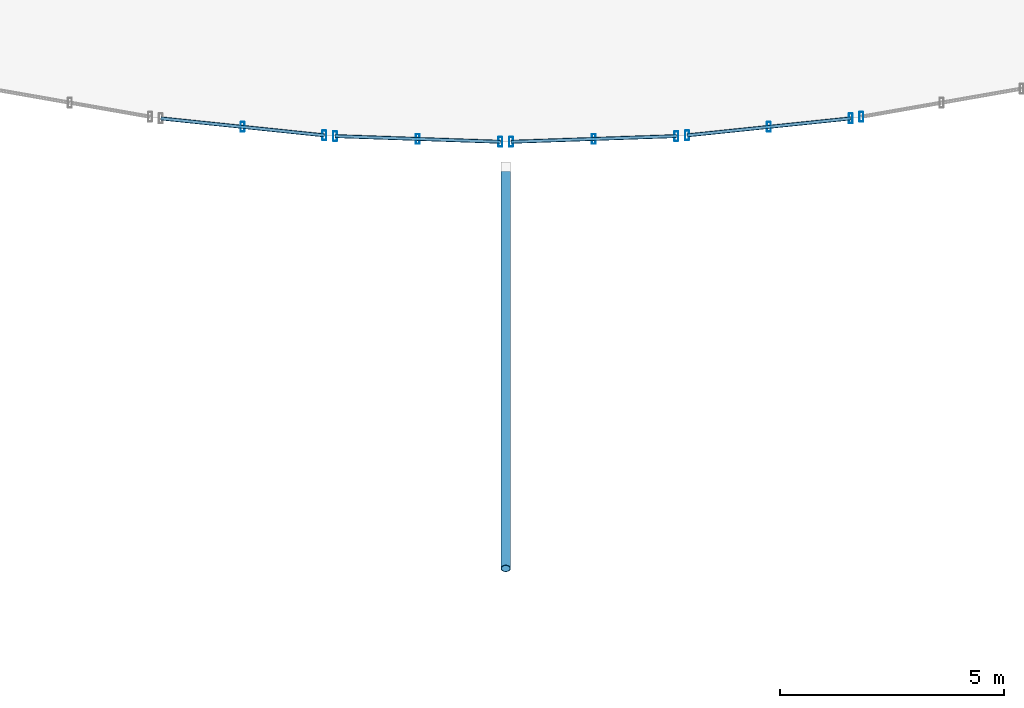
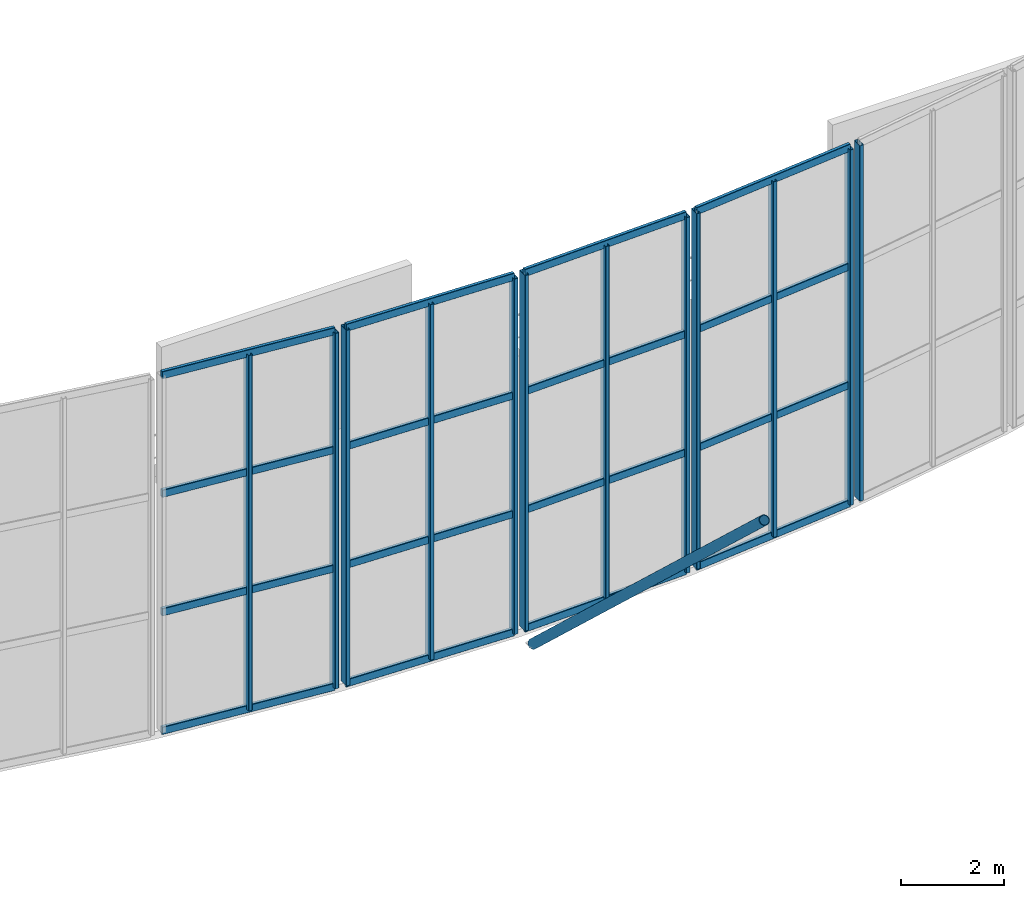
# One storey, part 22 of 109: 29 members, 5 elements without a shape of their own.
"""IFC4 building model written with IfcOpenShell, lengths in metres."""

import ifcopenshell
import ifcopenshell.guid

model = None  # the IFC model being written
_history = None  # IfcOwnerHistory: only IFC2X3 demands one
_inside = {}  # id of a spatial element -> (the spatial element, [elements in it])
_under = {}  # id of a project, library or spatial element -> (it, [spatial elements below it])
_declared = {}  # id of a project -> (the project, [libraries it declares])
_typed = {}  # id of a type object -> (the type object, [elements of that type])
_made_of = {}  # id of a material, layer set ... -> (it, [elements and type objects made of it])


def new_model(schema):
    """Start an empty IFC model of exactly this schema.

    Asked for "IFC4X3", IfcOpenShell would pick the latest addendum, in which some entities
    have other attributes; the version numbers below select the first issue.
    IFC2X3 requires an IfcOwnerHistory on every rooted entity: one is made here for all.
    """
    global model, _history
    if schema == "IFC4X3":
        model = ifcopenshell.file(schema_version=(4, 3, 0, 0))
    else:
        model = ifcopenshell.file(schema=schema)
    _inside.clear()
    _under.clear()
    _declared.clear()
    _typed.clear()
    _made_of.clear()
    _history = None
    if model.schema == "IFC2X3":
        org = make("IfcOrganization", Name="unknown")
        user = make(
            "IfcPersonAndOrganization",
            ThePerson=make("IfcPerson", FamilyName="unknown"),
            TheOrganization=org,
        )
        app = make(
            "IfcApplication",
            ApplicationDeveloper=org,
            Version="unknown",
            ApplicationFullName="unknown",
            ApplicationIdentifier="unknown",
        )
        _history = make(
            "IfcOwnerHistory",
            OwningUser=user,
            OwningApplication=app,
            ChangeAction="ADDED",
            CreationDate=0,
        )
    return model


def make(cls, **values):
    """One entity of the class cls with the attributes given. An attribute that is None is left unset."""
    return model.create_entity(
        cls, **{name: value for name, value in values.items() if value is not None}
    )


def rooted(cls, **values):
    """An entity with a GlobalId (a new one), such as an element, a storey or a relation."""
    return make(cls, GlobalId=ifcopenshell.guid.new(), OwnerHistory=_history, **values)


def si_unit(unit_type, name, prefix=None):
    """IfcSIUnit, for example si_unit("LENGTHUNIT", "METRE", prefix="MILLI")."""
    return make("IfcSIUnit", UnitType=unit_type, Prefix=prefix, Name=name)


def derived_unit(unit_type, elements):
    """IfcDerivedUnit: a product of units, each with its exponent."""
    return make(
        "IfcDerivedUnit",
        Elements=[
            make("IfcDerivedUnitElement", Unit=unit, Exponent=power)
            for unit, power in elements
        ],
        UnitType=unit_type,
    )


def assignment(units):
    """IfcUnitAssignment: the units of a project."""
    return None if units is None else make("IfcUnitAssignment", Units=units)


def point(xyz):
    """IfcCartesianPoint."""
    return None if xyz is None else make("IfcCartesianPoint", Coordinates=xyz)


def direction(xyz):
    """IfcDirection."""
    return None if xyz is None else make("IfcDirection", DirectionRatios=xyz)


def frame(location, z_axis=None, x_axis=None):
    """IfcAxis2Placement3D, a coordinate frame: its origin and axes. An axis left out is left unset."""
    return make(
        "IfcAxis2Placement3D",
        Location=point(location),
        Axis=direction(z_axis),
        RefDirection=direction(x_axis),
    )


def frame_2d(location, x_axis=None):
    """IfcAxis2Placement2D, a coordinate frame in the plane: its origin and x axis."""
    return make(
        "IfcAxis2Placement2D", Location=point(location), RefDirection=direction(x_axis)
    )


def origin():
    """The frame at (0, 0, 0) with its axes left unset."""
    return frame((0.0, 0.0, 0.0))


def origin_2d():
    """The frame at (0, 0) in the plane with its x axis left unset."""
    return frame_2d((0.0, 0.0))


def place(relative_to, where):
    """IfcLocalPlacement: puts the frame where relative to a parent placement (None: the world)."""
    return make(
        "IfcLocalPlacement", PlacementRelTo=relative_to, RelativePlacement=where
    )


def context(
    kind, dimensions, precision=None, world=None, true_north=None, identifier=None
):
    """IfcGeometricRepresentationContext, for example the 3D "Model" context."""
    return make(
        "IfcGeometricRepresentationContext",
        ContextIdentifier=identifier,
        ContextType=kind,
        CoordinateSpaceDimension=dimensions,
        Precision=precision,
        WorldCoordinateSystem=world,
        TrueNorth=true_north,
    )


def subcontext(parent, identifier, kind, view, scale=None):
    """IfcGeometricRepresentationSubContext, for example "Body" below "Model"."""
    return make(
        "IfcGeometricRepresentationSubContext",
        ContextIdentifier=identifier,
        ContextType=kind,
        ParentContext=parent,
        TargetScale=scale,
        TargetView=view,
    )


def project(units=None, contexts=None):
    """IfcProject with its units and contexts."""
    return rooted(
        "IfcProject",
        Name="project",
        RepresentationContexts=contexts,
        UnitsInContext=assignment(units),
    )


def spatial(cls, under=None, at=None, **own):
    """A site, building, storey or space (cls), placed at a placement, below another one or the project."""
    s = rooted(cls, ObjectPlacement=at, **own)
    if under is not None:
        _under.setdefault(under.id(), (under, []))[1].append(s)
    return s


def profile(cls, at=None, kind="AREA", **sizes):
    """A parametric profile (cls). Its sizes go by their IFC names, for example OverallWidth=200.0."""
    return make(cls, ProfileType=kind, Position=at, **sizes)


def hollow_rectangle(**sizes):
    """IfcRectangleHollowProfileDef."""
    return profile("IfcRectangleHollowProfileDef", **sizes)


def hollow_circle(**sizes):
    """IfcCircleHollowProfileDef."""
    return profile("IfcCircleHollowProfileDef", **sizes)


def extrude(swept, where, along, depth):
    """IfcExtrudedAreaSolid: the profile swept, set in the frame where, extruded along a direction by depth."""
    return make(
        "IfcExtrudedAreaSolid",
        SweptArea=swept,
        Position=where,
        ExtrudedDirection=direction(along),
        Depth=depth,
    )


def shape(context_of_items, identifier, shape_type, items):
    """IfcShapeRepresentation: the items that make up one representation, for example the "Body"."""
    return make(
        "IfcShapeRepresentation",
        ContextOfItems=context_of_items,
        RepresentationIdentifier=identifier,
        RepresentationType=shape_type,
        Items=items,
    )


def material(Name=None, Category=None):
    """IfcMaterial."""
    return make("IfcMaterial", Name=Name, Category=Category)


def material_profile(
    of_material, cross_section, Name=None, Category=None, Priority=None
):
    """IfcMaterialProfile: a cross section and its material."""
    return make(
        "IfcMaterialProfile",
        Name=Name,
        Material=of_material,
        Profile=cross_section,
        Priority=Priority,
        Category=Category,
    )


def profile_set(profiles, Name=None, composite=None):
    """IfcMaterialProfileSet."""
    return make(
        "IfcMaterialProfileSet",
        Name=Name,
        MaterialProfiles=profiles,
        CompositeProfile=composite,
    )


def made_of(thing, what):
    """Note that an element or type object is made of a material, layer set ...; save() writes the relation."""
    if what is not None:
        _made_of.setdefault(what.id(), (what, []))[1].append(thing)
    return thing


def type_object(cls, material=None, **own):
    """A type object (cls), such as IfcWallType, which elements share."""
    return made_of(rooted(cls, **own), material)


def element(
    cls,
    number,
    at=None,
    inside=None,
    cuts=None,
    type_object=None,
    material=None,
    context=None,
    identifier="Body",
    shape_type=None,
    held_by="IfcProductDefinitionShape",
    body=None,
    shapes=None,
    **own,
):
    """One element of the class cls, such as IfcWall. Its Tag is "e" and its number.

    at: its placement. inside: the storey or other place that contains it. cuts: it is an
    opening in that element (IfcRelVoidsElement). A single representation is given by context,
    identifier, shape_type and body (its items); several are given by shapes. held_by: the class
    of the entity that holds the representations. save() writes the other relations.
    """
    e = rooted(cls, Tag="e%d" % number, ObjectPlacement=at, **own)
    if body is not None:
        shapes = [shape(context, identifier, shape_type, body)]
    if shapes is not None:
        e.Representation = make(held_by, Representations=shapes)
    if inside is not None:
        _inside.setdefault(inside.id(), (inside, []))[1].append(e)
    if cuts is not None:
        rooted(
            "IfcRelVoidsElement", RelatingBuildingElement=cuts, RelatedOpeningElement=e
        )
    if type_object is not None:
        _typed.setdefault(type_object.id(), (type_object, []))[1].append(e)
    return made_of(e, material)


def aggregate(whole, parts):
    """IfcRelAggregates: a whole, such as a stair, and the parts it consists of."""
    return rooted("IfcRelAggregates", RelatingObject=whole, RelatedObjects=parts)


def save(model, path):
    """Write the relations noted so far, then the file.

    IfcRelAggregates (storeys below a building ...), IfcRelContainedInSpatialStructure (elements
    in a storey), IfcRelDefinesByType, IfcRelAssociatesMaterial and IfcRelDeclares: one each for
    every whole, place, type object, material and project.
    """
    for whole, parts in _under.values():
        aggregate(whole, parts)
    for where, things in _inside.values():
        rooted(
            "IfcRelContainedInSpatialStructure",
            RelatedElements=things,
            RelatingStructure=where,
        )
    for kind, things in _typed.values():
        rooted("IfcRelDefinesByType", RelatedObjects=things, RelatingType=kind)
    for what, things in _made_of.values():
        rooted("IfcRelAssociatesMaterial", RelatedObjects=things, RelatingMaterial=what)
    for by, libraries in _declared.values():
        rooted("IfcRelDeclares", RelatingContext=by, RelatedDefinitions=libraries)
    model.write(path)


model = new_model("IFC4")

# Units and contexts
model_context = context("Model", 3, precision=1e-05, world=origin(), true_north=direction((0.0, 1.0)))
body_context = subcontext(model_context, "Body", "Model", "MODEL_VIEW")
ifc_project = project(units=[si_unit("LENGTHUNIT", "METRE"), si_unit("AREAUNIT", "SQUARE_METRE"), si_unit("VOLUMEUNIT", "CUBIC_METRE"), si_unit("PLANEANGLEUNIT", "RADIAN"), si_unit("MASSUNIT", "GRAM", prefix="KILO"), derived_unit("THERMALTRANSMITTANCEUNIT", [(si_unit("MASSUNIT", "GRAM", prefix="KILO"), 1), (si_unit("TIMEUNIT", "SECOND"), -3), (si_unit("THERMODYNAMICTEMPERATUREUNIT", "KELVIN"), -1)])], contexts=[model_context])

# Site, building, storey
site_placement = place(None, origin())
site = spatial("IfcSite", under=ifc_project, at=site_placement, CompositionType="ELEMENT")
building_placement = place(site_placement, origin())
building = spatial("IfcBuilding", under=site, at=building_placement, Name="Kharveza Railside Sports Centre", CompositionType="ELEMENT")
storey_placement = place(building_placement, frame((0.0, 0.0, 4.5)))
storey = spatial("IfcBuildingStorey", under=building, at=storey_placement, Name="L01", CompositionType="ELEMENT", Elevation=4.5)

# Curtain wall, members
ifc_material_1 = material(Name="Low-E solar-control laminated glass", Category="glass")
curtain_wall_type = type_object("IfcCurtainWallType", Name="CW-DR01", PredefinedType="NOTDEFINED", material=ifc_material_1)
curtain_wall_1_placement = place(storey_placement, origin())
curtain_wall_1 = element("IfcCurtainWall", 1, at=curtain_wall_1_placement, inside=storey, type_object=curtain_wall_type, Name="CW-DRUM-47", PredefinedType="NOTDEFINED")
ifc_material_2 = material(Name="Anodised aluminium 6063-T6", Category="aluminium")
ifc_material_profile_1 = material_profile(ifc_material_2, hollow_rectangle(XDim=0.090087890625, YDim=0.219970703125, WallThickness=0.008056640625, InnerFilletRadius=0.008056640625, OuterFilletRadius=0.01611328125, at=origin_2d()), Name="RHS 90x220x8.0")
ifc_profile_set_1 = profile_set([ifc_material_profile_1], Name="Anodised aluminium 6063-T6")
member_type_1 = type_object("IfcMemberType", Name="CW-ML01", PredefinedType="MULLION", material=ifc_profile_set_1)
member_1_placement = place(storey_placement, frame((48.73779296875, 22.736328125, 0.0), z_axis=(0.0, 0.0, 1.0), x_axis=(1.0, 0.0, 0.0)))
member_1 = element("IfcMember", 2, at=member_1_placement, type_object=member_type_1, Name="CW-DRUM-47-ML2", PredefinedType="MULLION", context=body_context, shape_type="SweptSolid", body=[
    extrude(hollow_rectangle(XDim=0.090087890625, YDim=0.219970703125, WallThickness=0.008056640625, InnerFilletRadius=0.008056640625, OuterFilletRadius=0.01611328125, at=origin_2d()), origin(), (0.0, 0.0, 1.0), 8.39990234375),
])
member_2_placement = place(storey_placement, frame((50.56005859375, 22.547119140625, 0.0), z_axis=(0.0, 0.0, 1.0), x_axis=(1.0, 0.0, 0.0)))
member_2 = element("IfcMember", 3, at=member_2_placement, type_object=member_type_1, Name="CW-DRUM-47-ML3", PredefinedType="MULLION", context=body_context, shape_type="SweptSolid", body=[
    extrude(hollow_rectangle(XDim=0.090087890625, YDim=0.219970703125, WallThickness=0.008056640625, InnerFilletRadius=0.008056640625, OuterFilletRadius=0.01611328125, at=origin_2d()), origin(), (0.0, 0.0, 1.0), 8.39990234375),
])

curtain_wall_2_placement = place(storey_placement, origin())
curtain_wall_2 = element("IfcCurtainWall", 4, at=curtain_wall_2_placement, inside=storey, type_object=curtain_wall_type, Name="CW-DRUM-48", PredefinedType="NOTDEFINED")
member_3_placement = place(storey_placement, frame((50.79931640625, 22.53076171875, 0.0), z_axis=(0.0, 0.0, 1.0), x_axis=(1.0, 0.0, 0.0)))
member_3 = element("IfcMember", 5, at=member_3_placement, type_object=member_type_1, Name="CW-DRUM-48-ML1", PredefinedType="MULLION", context=body_context, shape_type="SweptSolid", body=[
    extrude(hollow_rectangle(XDim=0.090087890625, YDim=0.219970703125, WallThickness=0.008056640625, InnerFilletRadius=0.008056640625, OuterFilletRadius=0.01611328125, at=origin_2d()), origin(), (0.0, 0.0, 1.0), 8.39990234375),
])
member_4_placement = place(storey_placement, frame((52.6396484375, 22.46728515625, 0.0), z_axis=(0.0, 0.0, 1.0), x_axis=(1.0, 0.0, 0.0)))
member_4 = element("IfcMember", 6, at=member_4_placement, type_object=member_type_1, Name="CW-DRUM-48-ML2", PredefinedType="MULLION", context=body_context, shape_type="SweptSolid", body=[
    extrude(hollow_rectangle(XDim=0.090087890625, YDim=0.219970703125, WallThickness=0.008056640625, InnerFilletRadius=0.008056640625, OuterFilletRadius=0.01611328125, at=origin_2d()), origin(), (0.0, 0.0, 1.0), 8.39990234375),
])
member_5_placement = place(storey_placement, frame((54.47998046875, 22.404052734375, 0.0), z_axis=(0.0, 0.0, 1.0), x_axis=(1.0, 0.0, 0.0)))
member_5 = element("IfcMember", 7, at=member_5_placement, type_object=member_type_1, Name="CW-DRUM-48-ML3", PredefinedType="MULLION", context=body_context, shape_type="SweptSolid", body=[
    extrude(hollow_rectangle(XDim=0.090087890625, YDim=0.219970703125, WallThickness=0.008056640625, InnerFilletRadius=0.008056640625, OuterFilletRadius=0.01611328125, at=origin_2d()), origin(), (0.0, 0.0, 1.0), 8.39990234375),
])

curtain_wall_3_placement = place(storey_placement, origin())
curtain_wall_3 = element("IfcCurtainWall", 8, at=curtain_wall_3_placement, inside=storey, type_object=curtain_wall_type, Name="CW-DRUM-49", PredefinedType="NOTDEFINED")
member_6_placement = place(storey_placement, frame((54.719970703125, 22.404052734375, 0.0), z_axis=(0.0, 0.0, 1.0), x_axis=(1.0, 0.0, 0.0)))
member_6 = element("IfcMember", 9, at=member_6_placement, type_object=member_type_1, Name="CW-DRUM-49-ML1", PredefinedType="MULLION", context=body_context, shape_type="SweptSolid", body=[
    extrude(hollow_rectangle(XDim=0.090087890625, YDim=0.219970703125, WallThickness=0.008056640625, InnerFilletRadius=0.008056640625, OuterFilletRadius=0.01611328125, at=origin_2d()), origin(), (0.0, 0.0, 1.0), 8.39990234375),
])
member_7_placement = place(storey_placement, frame((56.560302734375, 22.46728515625, 0.0), z_axis=(0.0, 0.0, 1.0), x_axis=(1.0, 0.0, 0.0)))
member_7 = element("IfcMember", 10, at=member_7_placement, type_object=member_type_1, Name="CW-DRUM-49-ML2", PredefinedType="MULLION", context=body_context, shape_type="SweptSolid", body=[
    extrude(hollow_rectangle(XDim=0.090087890625, YDim=0.219970703125, WallThickness=0.008056640625, InnerFilletRadius=0.008056640625, OuterFilletRadius=0.01611328125, at=origin_2d()), origin(), (0.0, 0.0, 1.0), 8.39990234375),
])
member_8_placement = place(storey_placement, frame((58.40087890625, 22.53076171875, 0.0), z_axis=(0.0, 0.0, 1.0), x_axis=(1.0, 0.0, 0.0)))
member_8 = element("IfcMember", 11, at=member_8_placement, type_object=member_type_1, Name="CW-DRUM-49-ML3", PredefinedType="MULLION", context=body_context, shape_type="SweptSolid", body=[
    extrude(hollow_rectangle(XDim=0.090087890625, YDim=0.219970703125, WallThickness=0.008056640625, InnerFilletRadius=0.008056640625, OuterFilletRadius=0.01611328125, at=origin_2d()), origin(), (0.0, 0.0, 1.0), 8.39990234375),
])

curtain_wall_4_placement = place(storey_placement, origin())
curtain_wall_4 = element("IfcCurtainWall", 12, at=curtain_wall_4_placement, inside=storey, type_object=curtain_wall_type, Name="CW-DRUM-50", PredefinedType="NOTDEFINED")
member_9_placement = place(storey_placement, frame((58.639892578125, 22.547119140625, 0.0), z_axis=(0.0, 0.0, 1.0), x_axis=(1.0, 0.0, 0.0)))
member_9 = element("IfcMember", 13, at=member_9_placement, type_object=member_type_1, Name="CW-DRUM-50-ML1", PredefinedType="MULLION", context=body_context, shape_type="SweptSolid", body=[
    extrude(hollow_rectangle(XDim=0.090087890625, YDim=0.219970703125, WallThickness=0.008056640625, InnerFilletRadius=0.008056640625, OuterFilletRadius=0.01611328125, at=origin_2d()), origin(), (0.0, 0.0, 1.0), 8.39990234375),
])
member_10_placement = place(storey_placement, frame((60.462158203125, 22.736328125, 0.0), z_axis=(0.0, 0.0, 1.0), x_axis=(1.0, 0.0, 0.0)))
member_10 = element("IfcMember", 14, at=member_10_placement, type_object=member_type_1, Name="CW-DRUM-50-ML2", PredefinedType="MULLION", context=body_context, shape_type="SweptSolid", body=[
    extrude(hollow_rectangle(XDim=0.090087890625, YDim=0.219970703125, WallThickness=0.008056640625, InnerFilletRadius=0.008056640625, OuterFilletRadius=0.01611328125, at=origin_2d()), origin(), (0.0, 0.0, 1.0), 8.39990234375),
])
member_11_placement = place(storey_placement, frame((62.2841796875, 22.925537109375, 0.0), z_axis=(0.0, 0.0, 1.0), x_axis=(1.0, 0.0, 0.0)))
member_11 = element("IfcMember", 15, at=member_11_placement, type_object=member_type_1, Name="CW-DRUM-50-ML3", PredefinedType="MULLION", context=body_context, shape_type="SweptSolid", body=[
    extrude(hollow_rectangle(XDim=0.090087890625, YDim=0.219970703125, WallThickness=0.008056640625, InnerFilletRadius=0.008056640625, OuterFilletRadius=0.01611328125, at=origin_2d()), origin(), (0.0, 0.0, 1.0), 8.39990234375),
])

# Curtain wall, member
curtain_wall_5_placement = place(storey_placement, origin())
curtain_wall_5 = element("IfcCurtainWall", 16, at=curtain_wall_5_placement, inside=storey, type_object=curtain_wall_type, Name="CW-DRUM-51", PredefinedType="NOTDEFINED")
member_12_placement = place(storey_placement, frame((62.521728515625, 22.958740234375, 0.0), z_axis=(0.0, 0.0, 1.0), x_axis=(1.0, 0.0, 0.0)))
member_12 = element("IfcMember", 17, at=member_12_placement, type_object=member_type_1, Name="CW-DRUM-51-ML1", PredefinedType="MULLION", context=body_context, shape_type="SweptSolid", body=[
    extrude(hollow_rectangle(XDim=0.090087890625, YDim=0.219970703125, WallThickness=0.008056640625, InnerFilletRadius=0.008056640625, OuterFilletRadius=0.01611328125, at=origin_2d()), origin(), (0.0, 0.0, 1.0), 8.39990234375),
])
aggregate(curtain_wall_5, [member_12])

# Member
ifc_material_profile_2 = material_profile(ifc_material_2, hollow_rectangle(XDim=0.080078125, YDim=0.179931640625, WallThickness=0.00634765625, InnerFilletRadius=0.00634765625, OuterFilletRadius=0.0126953125, at=origin_2d()), Name="RHS 80x180x6.3")
ifc_profile_set_2 = profile_set([ifc_material_profile_2], Name="Anodised aluminium 6063-T6")
member_type_2 = type_object("IfcMemberType", Name="CW-TR01", PredefinedType="USERDEFINED", material=ifc_profile_set_2)
member_13_placement = place(storey_placement, frame((46.915771484375, 22.925537109375, 0.0), z_axis=(0.994651974154, -0.103283349631, 0.0), x_axis=(0.103283349631, 0.994651974154, 0.0)))
member_13 = element("IfcMember", 18, at=member_13_placement, type_object=member_type_2, Name="CW-DRUM-47-TR1", ObjectType="TRANSOM", PredefinedType="USERDEFINED", context=body_context, shape_type="SweptSolid", body=[
    extrude(hollow_rectangle(XDim=0.080078125, YDim=0.179931640625, WallThickness=0.00634765625, InnerFilletRadius=0.00634765625, OuterFilletRadius=0.0126953125, at=origin_2d()), origin(), (0.0, 0.0, 1.0), 3.663818359375),
])

member_14_placement = place(storey_placement, frame((46.915771484375, 22.925537109375, 2.800048828125), z_axis=(0.994651974154, -0.103283349631, 0.0), x_axis=(0.103283349631, 0.994651974154, 0.0)))
member_14 = element("IfcMember", 19, at=member_14_placement, type_object=member_type_2, Name="CW-DRUM-47-TR2", ObjectType="TRANSOM", PredefinedType="USERDEFINED", context=body_context, shape_type="SweptSolid", body=[
    extrude(hollow_rectangle(XDim=0.080078125, YDim=0.179931640625, WallThickness=0.00634765625, InnerFilletRadius=0.00634765625, OuterFilletRadius=0.0126953125, at=origin_2d()), origin(), (0.0, 0.0, 1.0), 3.663818359375),
])

member_15_placement = place(storey_placement, frame((46.915771484375, 22.925537109375, 5.60009765625), z_axis=(0.994651974154, -0.103283349631, 0.0), x_axis=(0.103283349631, 0.994651974154, 0.0)))
member_15 = element("IfcMember", 20, at=member_15_placement, type_object=member_type_2, Name="CW-DRUM-47-TR3", ObjectType="TRANSOM", PredefinedType="USERDEFINED", context=body_context, shape_type="SweptSolid", body=[
    extrude(hollow_rectangle(XDim=0.080078125, YDim=0.179931640625, WallThickness=0.00634765625, InnerFilletRadius=0.00634765625, OuterFilletRadius=0.0126953125, at=origin_2d()), origin(), (0.0, 0.0, 1.0), 3.663818359375),
])

member_16_placement = place(storey_placement, frame((46.915771484375, 22.925537109375, 8.39990234375), z_axis=(0.994651974154, -0.103283349631, 0.0), x_axis=(0.103283349631, 0.994651974154, 0.0)))
member_16 = element("IfcMember", 21, at=member_16_placement, type_object=member_type_2, Name="CW-DRUM-47-TR4", ObjectType="TRANSOM", PredefinedType="USERDEFINED", context=body_context, shape_type="SweptSolid", body=[
    extrude(hollow_rectangle(XDim=0.080078125, YDim=0.179931640625, WallThickness=0.00634765625, InnerFilletRadius=0.00634765625, OuterFilletRadius=0.0126953125, at=origin_2d()), origin(), (0.0, 0.0, 1.0), 3.663818359375),
])

aggregate(curtain_wall_1, [member_1, member_2, member_13, member_14, member_15, member_16])

member_17_placement = place(storey_placement, frame((50.79931640625, 22.53076171875, 0.0), z_axis=(0.999407965993, -0.034405195964, 0.0), x_axis=(0.034405195964, 0.999407965993, 0.0)))
member_17 = element("IfcMember", 22, at=member_17_placement, type_object=member_type_2, Name="CW-DRUM-48-TR1", ObjectType="TRANSOM", PredefinedType="USERDEFINED", context=body_context, shape_type="SweptSolid", body=[
    extrude(hollow_rectangle(XDim=0.080078125, YDim=0.179931640625, WallThickness=0.00634765625, InnerFilletRadius=0.00634765625, OuterFilletRadius=0.0126953125, at=origin_2d()), origin(), (0.0, 0.0, 1.0), 3.682861328125),
])

member_18_placement = place(storey_placement, frame((50.79931640625, 22.53076171875, 2.800048828125), z_axis=(0.999407965993, -0.034405195964, 0.0), x_axis=(0.034405195964, 0.999407965993, 0.0)))
member_18 = element("IfcMember", 23, at=member_18_placement, type_object=member_type_2, Name="CW-DRUM-48-TR2", ObjectType="TRANSOM", PredefinedType="USERDEFINED", context=body_context, shape_type="SweptSolid", body=[
    extrude(hollow_rectangle(XDim=0.080078125, YDim=0.179931640625, WallThickness=0.00634765625, InnerFilletRadius=0.00634765625, OuterFilletRadius=0.0126953125, at=origin_2d()), origin(), (0.0, 0.0, 1.0), 3.682861328125),
])

member_19_placement = place(storey_placement, frame((50.79931640625, 22.53076171875, 5.60009765625), z_axis=(0.999407965993, -0.034405195964, 0.0), x_axis=(0.034405195964, 0.999407965993, 0.0)))
member_19 = element("IfcMember", 24, at=member_19_placement, type_object=member_type_2, Name="CW-DRUM-48-TR3", ObjectType="TRANSOM", PredefinedType="USERDEFINED", context=body_context, shape_type="SweptSolid", body=[
    extrude(hollow_rectangle(XDim=0.080078125, YDim=0.179931640625, WallThickness=0.00634765625, InnerFilletRadius=0.00634765625, OuterFilletRadius=0.0126953125, at=origin_2d()), origin(), (0.0, 0.0, 1.0), 3.682861328125),
])

member_20_placement = place(storey_placement, frame((50.79931640625, 22.53076171875, 8.39990234375), z_axis=(0.999407965993, -0.034405195964, 0.0), x_axis=(0.034405195964, 0.999407965993, 0.0)))
member_20 = element("IfcMember", 25, at=member_20_placement, type_object=member_type_2, Name="CW-DRUM-48-TR4", ObjectType="TRANSOM", PredefinedType="USERDEFINED", context=body_context, shape_type="SweptSolid", body=[
    extrude(hollow_rectangle(XDim=0.080078125, YDim=0.179931640625, WallThickness=0.00634765625, InnerFilletRadius=0.00634765625, OuterFilletRadius=0.0126953125, at=origin_2d()), origin(), (0.0, 0.0, 1.0), 3.682861328125),
])

aggregate(curtain_wall_2, [member_3, member_4, member_5, member_17, member_18, member_19, member_20])

member_21_placement = place(storey_placement, frame((54.719970703125, 22.404052734375, 0.0), z_axis=(0.999408044456, 0.034402916699, 0.0), x_axis=(-0.034402916699, 0.999408044456, 0.0)))
member_21 = element("IfcMember", 26, at=member_21_placement, type_object=member_type_2, Name="CW-DRUM-49-TR1", ObjectType="TRANSOM", PredefinedType="USERDEFINED", context=body_context, shape_type="SweptSolid", body=[
    extrude(hollow_rectangle(XDim=0.080078125, YDim=0.179931640625, WallThickness=0.00634765625, InnerFilletRadius=0.00634765625, OuterFilletRadius=0.0126953125, at=origin_2d()), origin(), (0.0, 0.0, 1.0), 3.68310546875),
])

member_22_placement = place(storey_placement, frame((54.719970703125, 22.404052734375, 2.800048828125), z_axis=(0.999408044456, 0.034402916699, 0.0), x_axis=(-0.034402916699, 0.999408044456, 0.0)))
member_22 = element("IfcMember", 27, at=member_22_placement, type_object=member_type_2, Name="CW-DRUM-49-TR2", ObjectType="TRANSOM", PredefinedType="USERDEFINED", context=body_context, shape_type="SweptSolid", body=[
    extrude(hollow_rectangle(XDim=0.080078125, YDim=0.179931640625, WallThickness=0.00634765625, InnerFilletRadius=0.00634765625, OuterFilletRadius=0.0126953125, at=origin_2d()), origin(), (0.0, 0.0, 1.0), 3.68310546875),
])

member_23_placement = place(storey_placement, frame((54.719970703125, 22.404052734375, 5.60009765625), z_axis=(0.999408044456, 0.034402916699, 0.0), x_axis=(-0.034402916699, 0.999408044456, 0.0)))
member_23 = element("IfcMember", 28, at=member_23_placement, type_object=member_type_2, Name="CW-DRUM-49-TR3", ObjectType="TRANSOM", PredefinedType="USERDEFINED", context=body_context, shape_type="SweptSolid", body=[
    extrude(hollow_rectangle(XDim=0.080078125, YDim=0.179931640625, WallThickness=0.00634765625, InnerFilletRadius=0.00634765625, OuterFilletRadius=0.0126953125, at=origin_2d()), origin(), (0.0, 0.0, 1.0), 3.68310546875),
])

member_24_placement = place(storey_placement, frame((54.719970703125, 22.404052734375, 8.39990234375), z_axis=(0.999408044456, 0.034402916699, 0.0), x_axis=(-0.034402916699, 0.999408044456, 0.0)))
member_24 = element("IfcMember", 29, at=member_24_placement, type_object=member_type_2, Name="CW-DRUM-49-TR4", ObjectType="TRANSOM", PredefinedType="USERDEFINED", context=body_context, shape_type="SweptSolid", body=[
    extrude(hollow_rectangle(XDim=0.080078125, YDim=0.179931640625, WallThickness=0.00634765625, InnerFilletRadius=0.00634765625, OuterFilletRadius=0.0126953125, at=origin_2d()), origin(), (0.0, 0.0, 1.0), 3.68310546875),
])

aggregate(curtain_wall_3, [member_6, member_7, member_8, member_21, member_22, member_23, member_24])

member_25_placement = place(storey_placement, frame((58.639892578125, 22.547119140625, 0.0), z_axis=(0.994651974154, 0.103283349631, 0.0), x_axis=(-0.103283349631, 0.994651974154, 0.0)))
member_25 = element("IfcMember", 30, at=member_25_placement, type_object=member_type_2, Name="CW-DRUM-50-TR1", ObjectType="TRANSOM", PredefinedType="USERDEFINED", context=body_context, shape_type="SweptSolid", body=[
    extrude(hollow_rectangle(XDim=0.080078125, YDim=0.179931640625, WallThickness=0.00634765625, InnerFilletRadius=0.00634765625, OuterFilletRadius=0.0126953125, at=origin_2d()), origin(), (0.0, 0.0, 1.0), 3.663818359375),
])

member_26_placement = place(storey_placement, frame((58.639892578125, 22.547119140625, 2.800048828125), z_axis=(0.994651974154, 0.103283349631, 0.0), x_axis=(-0.103283349631, 0.994651974154, 0.0)))
member_26 = element("IfcMember", 31, at=member_26_placement, type_object=member_type_2, Name="CW-DRUM-50-TR2", ObjectType="TRANSOM", PredefinedType="USERDEFINED", context=body_context, shape_type="SweptSolid", body=[
    extrude(hollow_rectangle(XDim=0.080078125, YDim=0.179931640625, WallThickness=0.00634765625, InnerFilletRadius=0.00634765625, OuterFilletRadius=0.0126953125, at=origin_2d()), origin(), (0.0, 0.0, 1.0), 3.663818359375),
])

member_27_placement = place(storey_placement, frame((58.639892578125, 22.547119140625, 5.60009765625), z_axis=(0.994651974154, 0.103283349631, 0.0), x_axis=(-0.103283349631, 0.994651974154, 0.0)))
member_27 = element("IfcMember", 32, at=member_27_placement, type_object=member_type_2, Name="CW-DRUM-50-TR3", ObjectType="TRANSOM", PredefinedType="USERDEFINED", context=body_context, shape_type="SweptSolid", body=[
    extrude(hollow_rectangle(XDim=0.080078125, YDim=0.179931640625, WallThickness=0.00634765625, InnerFilletRadius=0.00634765625, OuterFilletRadius=0.0126953125, at=origin_2d()), origin(), (0.0, 0.0, 1.0), 3.663818359375),
])

member_28_placement = place(storey_placement, frame((58.639892578125, 22.547119140625, 8.39990234375), z_axis=(0.994651974154, 0.103283349631, 0.0), x_axis=(-0.103283349631, 0.994651974154, 0.0)))
member_28 = element("IfcMember", 33, at=member_28_placement, type_object=member_type_2, Name="CW-DRUM-50-TR4", ObjectType="TRANSOM", PredefinedType="USERDEFINED", context=body_context, shape_type="SweptSolid", body=[
    extrude(hollow_rectangle(XDim=0.080078125, YDim=0.179931640625, WallThickness=0.00634765625, InnerFilletRadius=0.00634765625, OuterFilletRadius=0.0126953125, at=origin_2d()), origin(), (0.0, 0.0, 1.0), 3.663818359375),
])

aggregate(curtain_wall_4, [member_9, member_10, member_11, member_25, member_26, member_27, member_28])

ifc_material_3 = material(Name="Steel S355J2", Category="steel")
ifc_material_profile_3 = material_profile(ifc_material_3, hollow_circle(Radius=0.109619140625, WallThickness=0.012451171875, at=origin_2d()), Name="CHS 219.1x12.5")
ifc_profile_set_3 = profile_set([ifc_material_profile_3], Name="Steel S355J2")
member_type_3 = type_object("IfcMemberType", Name="MB-ST01", PredefinedType="STRUT", material=ifc_profile_set_3)
member_29_placement = place(storey_placement, frame((54.60009765625, 21.85009765625, 0.0), z_axis=(0.0, -0.731194538448, 0.682169001746), x_axis=(1.0, 0.0, 0.0)))
element("IfcMember", 34, at=member_29_placement, inside=storey, type_object=member_type_3, Name="MB-RAKER-LID-13", PredefinedType="STRUT", context=body_context, shape_type="SweptSolid", body=[
    extrude(hollow_circle(Radius=0.109619140625, WallThickness=0.012451171875, at=origin_2d()), origin(), (0.0, 0.0, 1.0), 12.240478515625),
])

save(model, "model.ifc")
